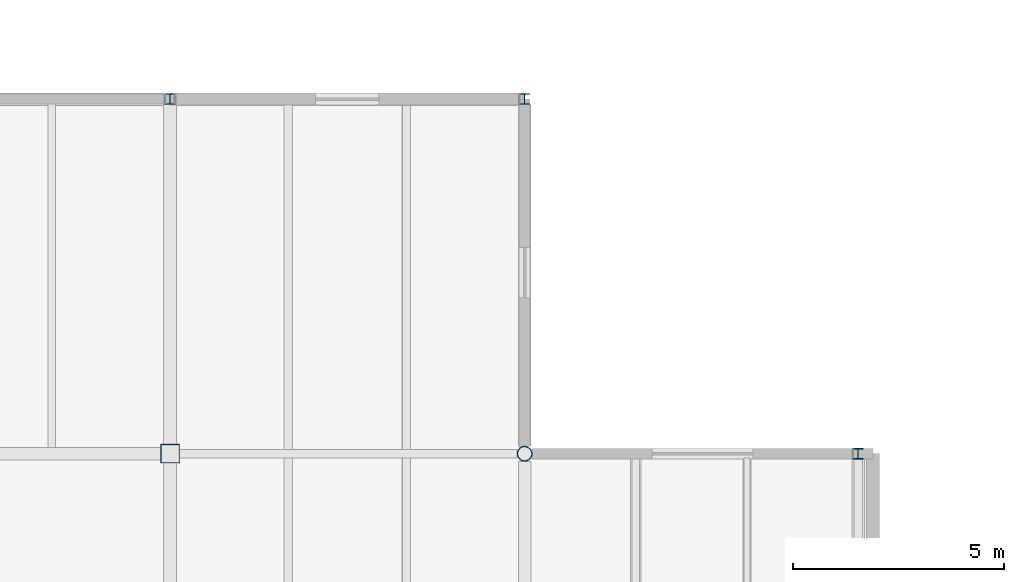
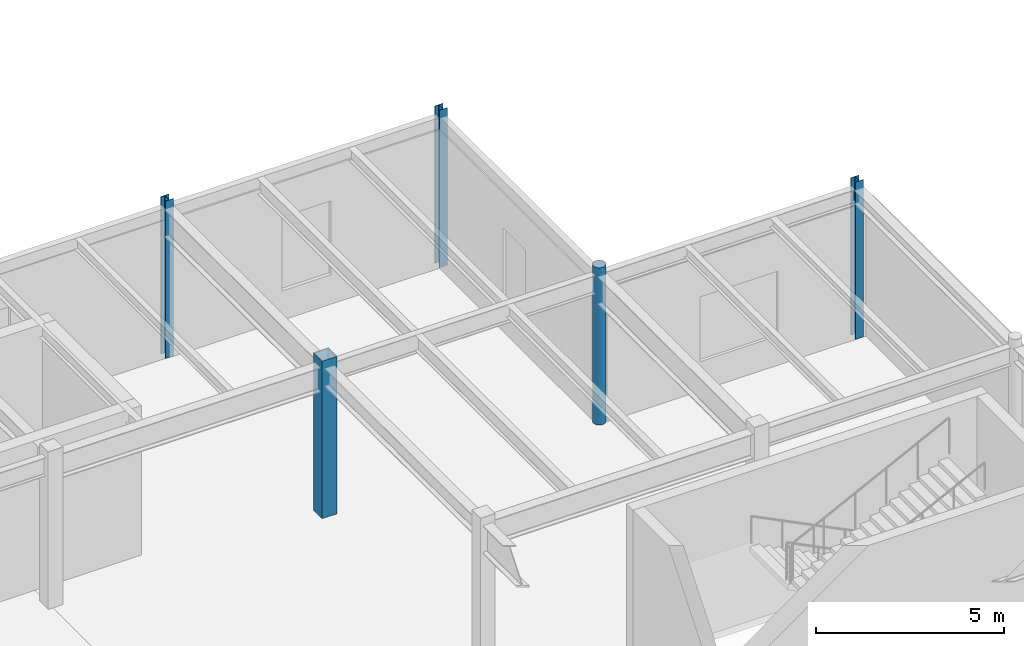
# One storey, part 9 of 57: 5 columns.
"""IFC4 building model written with IfcOpenShell, lengths in metres."""

from ifc_helpers import new_model, si_unit, direction, frame, origin, origin_2d, place, context, subcontext, project, spatial, hollow_rectangle, hollow_circle, i_section, extrude, material, material_profile, profile_set, type_object, element, save


model = new_model("IFC4")

# Units and contexts
model_context = context("Model", 3, precision=1e-05, world=origin(), true_north=direction((0.0, 1.0)))
body_context = subcontext(model_context, "Body", "Model", "MODEL_VIEW")
ifc_project = project(units=[si_unit("LENGTHUNIT", "METRE"), si_unit("AREAUNIT", "SQUARE_METRE"), si_unit("VOLUMEUNIT", "CUBIC_METRE"), si_unit("PLANEANGLEUNIT", "RADIAN"), si_unit("MASSUNIT", "GRAM", prefix="KILO"), si_unit("THERMODYNAMICTEMPERATUREUNIT", "KELVIN")], contexts=[model_context])

# Site, building, storey
site_placement = place(None, origin())
site = spatial("IfcSite", under=ifc_project, at=site_placement, CompositionType="ELEMENT")
building_placement = place(site_placement, origin())
building = spatial("IfcBuilding", under=site, at=building_placement, Name="Lustrewick Department Store", CompositionType="ELEMENT")
storey_placement = place(building_placement, frame((0.0, 0.0, 26.699951171875)))
storey = spatial("IfcBuildingStorey", under=building, at=storey_placement, Name="L06", CompositionType="ELEMENT", Elevation=26.699951171875)

# Columns
ifc_material = material(Name="Structural steel Q355B", Category="steel")
ifc_material_profile_1 = material_profile(ifc_material, hollow_rectangle(XDim=0.449951171875, YDim=0.449951171875, WallThickness=0.01806640625, at=origin_2d()), Name="BOX 450x450x18")
ifc_profile_set_1 = profile_set([ifc_material_profile_1], Name="Structural steel Q355B")
column_type_1 = type_object("IfcColumnType", Name="C07", PredefinedType="COLUMN", material=ifc_profile_set_1)
column_1_placement = place(storey_placement, frame((42.0, 84.0, 0.0), z_axis=(0.0, 0.0, 1.0), x_axis=(1.0, 0.0, 0.0)))
element("IfcColumn", 1, at=column_1_placement, inside=storey, type_object=column_type_1, Name="L06 V1 Column C07", PredefinedType="COLUMN", context=body_context, shape_type="SweptSolid", body=[
    extrude(hollow_rectangle(XDim=0.449951171875, YDim=0.449951171875, WallThickness=0.01806640625, at=origin_2d()), origin(), (0.0, 0.0, 1.0), 5.10009765625),
])
ifc_material_profile_2 = material_profile(ifc_material, hollow_circle(Radius=0.177978515625, WallThickness=0.013916015625, at=origin_2d()), Name="CHS 356x14")
ifc_profile_set_2 = profile_set([ifc_material_profile_2], Name="Structural steel Q355B")
column_type_2 = type_object("IfcColumnType", Name="CE05", PredefinedType="COLUMN", material=ifc_profile_set_2)
column_2_placement = place(storey_placement, frame((50.39990234375, 84.0, 0.0), z_axis=(0.0, 0.0, 1.0), x_axis=(1.0, 0.0, 0.0)))
element("IfcColumn", 2, at=column_2_placement, inside=storey, type_object=column_type_2, Name="L06 V1 Column CE05", PredefinedType="COLUMN", context=body_context, shape_type="SweptSolid", body=[
    extrude(hollow_circle(Radius=0.177978515625, WallThickness=0.013916015625, at=origin_2d()), origin(), (0.0, 0.0, 1.0), 5.10009765625),
])
ifc_material_profile_3 = material_profile(ifc_material, i_section(OverallWidth=0.25, OverallDepth=0.25, WebThickness=0.009033203125, FlangeThickness=0.013916015625, FilletRadius=0.01611328125, at=origin_2d()), Name="HW 250x250x9x14")
ifc_profile_set_3 = profile_set([ifc_material_profile_3], Name="Structural steel Q355B")
column_type_3 = type_object("IfcColumnType", Name="CE08", PredefinedType="COLUMN", material=ifc_profile_set_3)
for number, where, z_axis, x_axis, name in (
    (3, (42.0, 92.39990234375, 0.0), (0.0, 0.0, 1.0), (1.0, 0.0, 0.0), "L06 V1 Column CE08"),
    (4, (50.39990234375, 92.39990234375, 0.0), (0.0, 0.0, 1.0), (1.0, 0.0, 0.0), "L06 V1 Column CE08"),
    (5, (58.300048828125, 84.0, 0.0), (0.0, 0.0, 1.0), (1.0, 0.0, 0.0), "L06 V1 Column CE08"),
):
    element("IfcColumn", number, at=place(storey_placement, frame(where, z_axis=z_axis, x_axis=x_axis)), inside=storey, type_object=column_type_3, Name=name, PredefinedType="COLUMN", context=body_context, shape_type="SweptSolid", body=[
        extrude(i_section(OverallWidth=0.25, OverallDepth=0.25, WebThickness=0.009033203125, FlangeThickness=0.013916015625, FilletRadius=0.01611328125, at=origin_2d()), origin(), (0.0, 0.0, 1.0), 5.10009765625),
    ])

save(model, "model.ifc")
